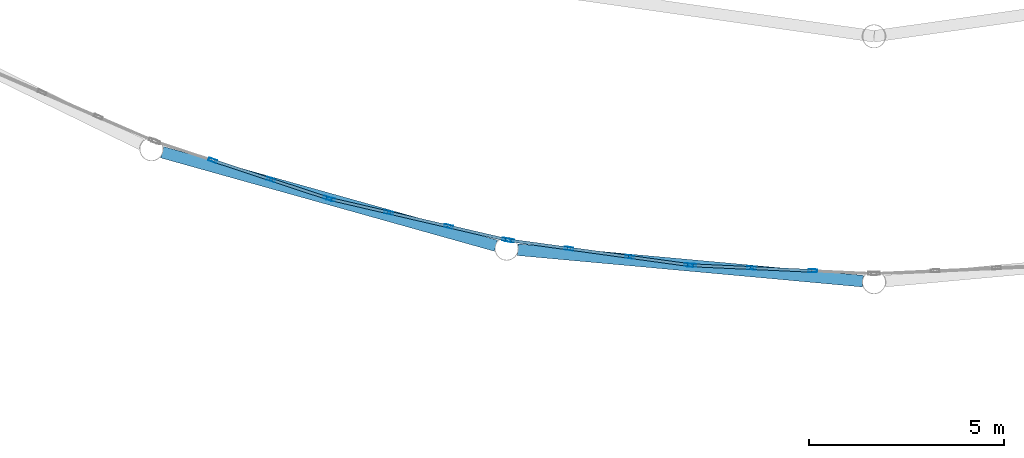
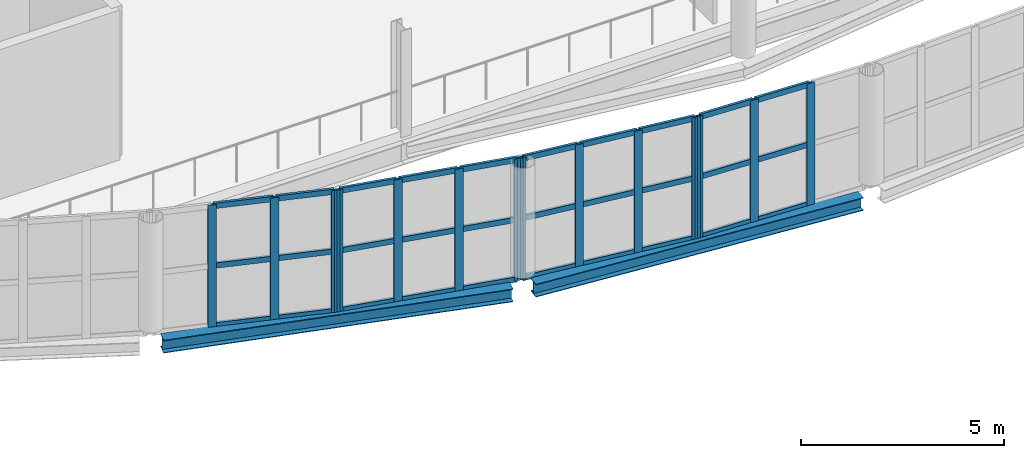
# One storey, part 29 of 134: 44 members, 2 beams, 4 elements without a shape of their own.
"""IFC4 building model written with IfcOpenShell, lengths in metres."""

from ifc_helpers import new_model, si_unit, direction, frame, origin, origin_2d, place, context, subcontext, project, spatial, hollow_rectangle, i_section, extrude, material, layer, layer_set, material_profile, profile_set, type_object, element, aggregate, save


model = new_model("IFC4")

# Units and contexts
model_context = context("Model", 3, precision=1e-05, world=origin(), true_north=direction((0.0, 1.0)))
body_context = subcontext(model_context, "Body", "Model", "MODEL_VIEW")
ifc_project = project(units=[si_unit("LENGTHUNIT", "METRE"), si_unit("AREAUNIT", "SQUARE_METRE"), si_unit("VOLUMEUNIT", "CUBIC_METRE"), si_unit("PLANEANGLEUNIT", "RADIAN"), si_unit("MASSUNIT", "GRAM", prefix="KILO")], contexts=[model_context])

# Site, building, storey
site_placement = place(None, origin())
site = spatial("IfcSite", under=ifc_project, at=site_placement, CompositionType="ELEMENT")
building_placement = place(site_placement, origin())
building = spatial("IfcBuilding", under=site, at=building_placement, Name="Tamarisk Ironworks Central Station", CompositionType="ELEMENT")
storey_placement = place(building_placement, frame((0.0, 0.0, 12.60009765625)))
storey = spatial("IfcBuildingStorey", under=building, at=storey_placement, Name="L02", CompositionType="ELEMENT", Elevation=12.60009765625)

# Beams
ifc_material_1 = material(Name="Structural steel S355J2", Category="steel")
ifc_material_profile_1 = material_profile(ifc_material_1, i_section(OverallWidth=0.300048828125, OverallDepth=0.389892578125, WebThickness=0.010986328125, FlangeThickness=0.01904296875, at=origin_2d()), Name="HEA 400")
ifc_profile_set_1 = profile_set([ifc_material_profile_1], Name="Structural steel S355J2")
beam_type = type_object("IfcBeamType", Name="BM-G07", PredefinedType="BEAM", material=ifc_profile_set_1)
beam_1_placement = place(storey_placement, frame((62.76318359375, 6.570556640625, -0.5751953125), z_axis=(0.962975154525, -0.269590155174, 0.0), x_axis=(0.269590155174, 0.962975154525, 0.0)))
element("IfcBeam", 1, at=beam_1_placement, inside=storey, type_object=beam_type, Name="SN rounded nose L02 chord girder 004", PredefinedType="BEAM", context=body_context, shape_type="SweptSolid", body=[
    extrude(i_section(OverallWidth=0.300048828125, OverallDepth=0.389892578125, WebThickness=0.010986328125, FlangeThickness=0.01904296875, at=origin_2d()), origin(), (0.0, 0.0, 1.0), 8.88037109375),
])
beam_2_placement = place(storey_placement, frame((71.872802734375, 4.07373046875, -0.5751953125), z_axis=(0.995863406654, -0.090862947823, 0.0), x_axis=(0.090862947823, 0.995863406654, 0.0)))
element("IfcBeam", 2, at=beam_2_placement, inside=storey, type_object=beam_type, Name="SN rounded nose L02 chord girder 006", PredefinedType="BEAM", context=body_context, shape_type="SweptSolid", body=[
    extrude(i_section(OverallWidth=0.300048828125, OverallDepth=0.389892578125, WebThickness=0.010986328125, FlangeThickness=0.01904296875, at=origin_2d()), origin(), (0.0, 0.0, 1.0), 8.880126953125),
])

# Curtain wall, members
ifc_material_2 = material(Name="Anodized aluminium alloy 6063-T6", Category="aluminium")
ifc_layer = layer(ifc_material_2, 0.179931640625)
ifc_layer_set = layer_set([ifc_layer], Name="Anodized aluminium alloy 6063-T6")
curtain_wall_type = type_object("IfcCurtainWallType", Name="CW-03", PredefinedType="USERDEFINED", material=ifc_layer_set)
curtain_wall_1_placement = place(storey_placement, origin())
curtain_wall_1 = element("IfcCurtainWall", 3, at=curtain_wall_1_placement, inside=storey, type_object=curtain_wall_type, Name="SN rounded entrance hall L02 curtain wall bay 03", ObjectType="GLAZED CURTAIN WALL", PredefinedType="USERDEFINED")
ifc_material_profile_2 = material_profile(ifc_material_2, hollow_rectangle(XDim=0.074951171875, YDim=0.219970703125, WallThickness=0.00390625, at=origin_2d()), Name="ALUM 220x75")
ifc_profile_set_2 = profile_set([ifc_material_profile_2], Name="Anodized aluminium alloy 6063-T6")
member_type_1 = type_object("IfcMemberType", Name="CWM-01", PredefinedType="MULLION", material=ifc_profile_set_2)
member_1_placement = place(storey_placement, frame((64.05908203125, 6.361083984375, -0.385009765625), z_axis=(0.0, 0.0, 1.0), x_axis=(0.313098460171, 0.949720671692, 0.0)))
member_1 = element("IfcMember", 4, at=member_1_placement, type_object=member_type_1, Name="CW03 mullion 2", PredefinedType="MULLION", context=body_context, shape_type="SweptSolid", body=[
    extrude(hollow_rectangle(XDim=0.074951171875, YDim=0.219970703125, WallThickness=0.00390625, at=origin_2d()), origin(), (0.0, 0.0, 1.0), 3.664794921875),
])
member_2_placement = place(storey_placement, frame((65.550048828125, 5.86962890625, -0.385009765625), z_axis=(0.0, 0.0, 1.0), x_axis=(0.313098460171, 0.949720671692, 0.0)))
member_2 = element("IfcMember", 5, at=member_2_placement, type_object=member_type_1, Name="CW03 mullion 3", PredefinedType="MULLION", context=body_context, shape_type="SweptSolid", body=[
    extrude(hollow_rectangle(XDim=0.074951171875, YDim=0.219970703125, WallThickness=0.00390625, at=origin_2d()), origin(), (0.0, 0.0, 1.0), 3.664794921875),
])
member_3_placement = place(storey_placement, frame((67.00537109375, 5.3896484375, -0.385009765625), z_axis=(0.0, 0.0, 1.0), x_axis=(0.313098460171, 0.949720671692, 0.0)))
member_3 = element("IfcMember", 6, at=member_3_placement, type_object=member_type_1, Name="CW03 mullion 4", PredefinedType="MULLION", context=body_context, shape_type="SweptSolid", body=[
    extrude(hollow_rectangle(XDim=0.074951171875, YDim=0.219970703125, WallThickness=0.00390625, at=origin_2d()), origin(), (0.0, 0.0, 1.0), 3.664794921875),
])

curtain_wall_2_placement = place(storey_placement, origin())
curtain_wall_2 = element("IfcCurtainWall", 7, at=curtain_wall_2_placement, inside=storey, type_object=curtain_wall_type, Name="SN rounded entrance hall L02 curtain wall bay 04", ObjectType="GLAZED CURTAIN WALL", PredefinedType="USERDEFINED")
member_4_placement = place(storey_placement, frame((67.07763671875, 5.36962890625, -0.385009765625), z_axis=(0.0, 0.0, 1.0), x_axis=(0.225516966506, 0.974239240545, 0.0)))
member_4 = element("IfcMember", 8, at=member_4_placement, type_object=member_type_1, Name="CW03 mullion 1", PredefinedType="MULLION", context=body_context, shape_type="SweptSolid", body=[
    extrude(hollow_rectangle(XDim=0.074951171875, YDim=0.219970703125, WallThickness=0.00390625, at=origin_2d()), origin(), (0.0, 0.0, 1.0), 3.664794921875),
])
member_5_placement = place(storey_placement, frame((68.570556640625, 5.02392578125, -0.385009765625), z_axis=(0.0, 0.0, 1.0), x_axis=(0.225516966506, 0.974239240545, 0.0)))
member_5 = element("IfcMember", 9, at=member_5_placement, type_object=member_type_1, Name="CW03 mullion 2", PredefinedType="MULLION", context=body_context, shape_type="SweptSolid", body=[
    extrude(hollow_rectangle(XDim=0.074951171875, YDim=0.219970703125, WallThickness=0.00390625, at=origin_2d()), origin(), (0.0, 0.0, 1.0), 3.664794921875),
])
member_6_placement = place(storey_placement, frame((70.099853515625, 4.669921875, -0.385009765625), z_axis=(0.0, 0.0, 1.0), x_axis=(0.225516966506, 0.974239240545, 0.0)))
member_6 = element("IfcMember", 10, at=member_6_placement, type_object=member_type_1, Name="CW03 mullion 3", PredefinedType="MULLION", context=body_context, shape_type="SweptSolid", body=[
    extrude(hollow_rectangle(XDim=0.074951171875, YDim=0.219970703125, WallThickness=0.00390625, at=origin_2d()), origin(), (0.0, 0.0, 1.0), 3.664794921875),
])
member_7_placement = place(storey_placement, frame((71.5927734375, 4.324462890625, -0.385009765625), z_axis=(0.0, 0.0, 1.0), x_axis=(0.225516966506, 0.974239240545, 0.0)))
member_7 = element("IfcMember", 11, at=member_7_placement, type_object=member_type_1, Name="CW03 mullion 4", PredefinedType="MULLION", context=body_context, shape_type="SweptSolid", body=[
    extrude(hollow_rectangle(XDim=0.074951171875, YDim=0.219970703125, WallThickness=0.00390625, at=origin_2d()), origin(), (0.0, 0.0, 1.0), 3.664794921875),
])

curtain_wall_3_placement = place(storey_placement, origin())
curtain_wall_3 = element("IfcCurtainWall", 12, at=curtain_wall_3_placement, inside=storey, type_object=curtain_wall_type, Name="SN rounded entrance hall L02 curtain wall bay 05", ObjectType="GLAZED CURTAIN WALL", PredefinedType="USERDEFINED")
member_8_placement = place(storey_placement, frame((71.66650390625, 4.310791015625, -0.385009765625), z_axis=(0.0, 0.0, 1.0), x_axis=(0.136041725218, 0.990703108403, 0.0)))
member_8 = element("IfcMember", 13, at=member_8_placement, type_object=member_type_1, Name="CW03 mullion 1", PredefinedType="MULLION", context=body_context, shape_type="SweptSolid", body=[
    extrude(hollow_rectangle(XDim=0.074951171875, YDim=0.219970703125, WallThickness=0.00390625, at=origin_2d()), origin(), (0.0, 0.0, 1.0), 3.664794921875),
])
member_9_placement = place(storey_placement, frame((73.1845703125, 4.102294921875, -0.385009765625), z_axis=(0.0, 0.0, 1.0), x_axis=(0.136041725218, 0.990703108403, 0.0)))
member_9 = element("IfcMember", 14, at=member_9_placement, type_object=member_type_1, Name="CW03 mullion 2", PredefinedType="MULLION", context=body_context, shape_type="SweptSolid", body=[
    extrude(hollow_rectangle(XDim=0.074951171875, YDim=0.219970703125, WallThickness=0.00390625, at=origin_2d()), origin(), (0.0, 0.0, 1.0), 3.664794921875),
])
member_10_placement = place(storey_placement, frame((74.739990234375, 3.888671875, -0.385009765625), z_axis=(0.0, 0.0, 1.0), x_axis=(0.136041725218, 0.990703108403, 0.0)))
member_10 = element("IfcMember", 15, at=member_10_placement, type_object=member_type_1, Name="CW03 mullion 3", PredefinedType="MULLION", context=body_context, shape_type="SweptSolid", body=[
    extrude(hollow_rectangle(XDim=0.074951171875, YDim=0.219970703125, WallThickness=0.00390625, at=origin_2d()), origin(), (0.0, 0.0, 1.0), 3.664794921875),
])
member_11_placement = place(storey_placement, frame((76.258056640625, 3.680419921875, -0.385009765625), z_axis=(0.0, 0.0, 1.0), x_axis=(0.136041725218, 0.990703108403, 0.0)))
member_11 = element("IfcMember", 16, at=member_11_placement, type_object=member_type_1, Name="CW03 mullion 4", PredefinedType="MULLION", context=body_context, shape_type="SweptSolid", body=[
    extrude(hollow_rectangle(XDim=0.074951171875, YDim=0.219970703125, WallThickness=0.00390625, at=origin_2d()), origin(), (0.0, 0.0, 1.0), 3.664794921875),
])

curtain_wall_4_placement = place(storey_placement, origin())
curtain_wall_4 = element("IfcCurtainWall", 17, at=curtain_wall_4_placement, inside=storey, type_object=curtain_wall_type, Name="SN rounded entrance hall L02 curtain wall bay 06", ObjectType="GLAZED CURTAIN WALL", PredefinedType="USERDEFINED")
member_12_placement = place(storey_placement, frame((76.332763671875, 3.673583984375, -0.385009765625), z_axis=(0.0, 0.0, 1.0), x_axis=(0.045480859558, 0.998965210312, 0.0)))
member_12 = element("IfcMember", 18, at=member_12_placement, type_object=member_type_1, Name="CW03 mullion 1", PredefinedType="MULLION", context=body_context, shape_type="SweptSolid", body=[
    extrude(hollow_rectangle(XDim=0.074951171875, YDim=0.219970703125, WallThickness=0.00390625, at=origin_2d()), origin(), (0.0, 0.0, 1.0), 3.664794921875),
])
member_13_placement = place(storey_placement, frame((77.863525390625, 3.603759765625, -0.385009765625), z_axis=(0.0, 0.0, 1.0), x_axis=(0.045480859558, 0.998965210312, 0.0)))
member_13 = element("IfcMember", 19, at=member_13_placement, type_object=member_type_1, Name="CW03 mullion 2", PredefinedType="MULLION", context=body_context, shape_type="SweptSolid", body=[
    extrude(hollow_rectangle(XDim=0.074951171875, YDim=0.219970703125, WallThickness=0.00390625, at=origin_2d()), origin(), (0.0, 0.0, 1.0), 3.664794921875),
])
member_14_placement = place(storey_placement, frame((79.431640625, 3.532470703125, -0.385009765625), z_axis=(0.0, 0.0, 1.0), x_axis=(0.045480859558, 0.998965210312, 0.0)))
member_14 = element("IfcMember", 20, at=member_14_placement, type_object=member_type_1, Name="CW03 mullion 3", PredefinedType="MULLION", context=body_context, shape_type="SweptSolid", body=[
    extrude(hollow_rectangle(XDim=0.074951171875, YDim=0.219970703125, WallThickness=0.00390625, at=origin_2d()), origin(), (0.0, 0.0, 1.0), 3.664794921875),
])

# Member
ifc_material_profile_3 = material_profile(ifc_material_2, hollow_rectangle(XDim=0.074951171875, YDim=0.159912109375, WallThickness=0.00390625, at=origin_2d()), Name="ALUM 160x75")
ifc_profile_set_3 = profile_set([ifc_material_profile_3], Name="Anodized aluminium alloy 6063-T6")
member_type_2 = type_object("IfcMemberType", Name="CWT-01", PredefinedType="USERDEFINED", material=ifc_profile_set_3)
member_15_placement = place(storey_placement, frame((64.091064453125, 6.3505859375, -0.34765625), z_axis=(0.94973399069, -0.313058056801, 0.0), x_axis=(0.313058056801, 0.94973399069, 0.0)))
member_15 = element("IfcMember", 21, at=member_15_placement, type_object=member_type_2, Name="CW03 transom 2.1", ObjectType="TRANSOM", PredefinedType="USERDEFINED", context=body_context, shape_type="SweptSolid", body=[
    extrude(hollow_rectangle(XDim=0.074951171875, YDim=0.159912109375, WallThickness=0.00390625, at=origin_2d()), origin(), (0.0, 0.0, 1.0), 1.502685546875),
])

member_16_placement = place(storey_placement, frame((64.091064453125, 6.3505859375, 1.447509765625), z_axis=(0.94973399069, -0.313058056801, 0.0), x_axis=(0.313058056801, 0.94973399069, 0.0)))
member_16 = element("IfcMember", 22, at=member_16_placement, type_object=member_type_2, Name="CW03 transom 2.2", ObjectType="TRANSOM", PredefinedType="USERDEFINED", context=body_context, shape_type="SweptSolid", body=[
    extrude(hollow_rectangle(XDim=0.074951171875, YDim=0.159912109375, WallThickness=0.00390625, at=origin_2d()), origin(), (0.0, 0.0, 1.0), 1.502685546875),
])

member_17_placement = place(storey_placement, frame((64.091064453125, 6.3505859375, 3.242431640625), z_axis=(0.94973399069, -0.313058056801, 0.0), x_axis=(0.313058056801, 0.94973399069, 0.0)))
member_17 = element("IfcMember", 23, at=member_17_placement, type_object=member_type_2, Name="CW03 transom 2.3", ObjectType="TRANSOM", PredefinedType="USERDEFINED", context=body_context, shape_type="SweptSolid", body=[
    extrude(hollow_rectangle(XDim=0.074951171875, YDim=0.159912109375, WallThickness=0.00390625, at=origin_2d()), origin(), (0.0, 0.0, 1.0), 1.502685546875),
])

member_18_placement = place(storey_placement, frame((65.58203125, 5.859130859375, -0.34765625), z_axis=(0.949678219118, -0.313227202095, 0.0), x_axis=(0.313227202095, 0.949678219118, 0.0)))
member_18 = element("IfcMember", 24, at=member_18_placement, type_object=member_type_2, Name="CW03 transom 3.1", ObjectType="TRANSOM", PredefinedType="USERDEFINED", context=body_context, shape_type="SweptSolid", body=[
    extrude(hollow_rectangle(XDim=0.074951171875, YDim=0.159912109375, WallThickness=0.00390625, at=origin_2d()), origin(), (0.0, 0.0, 1.0), 1.46533203125),
])

member_19_placement = place(storey_placement, frame((65.58203125, 5.859130859375, 1.447509765625), z_axis=(0.949678219118, -0.313227202095, 0.0), x_axis=(0.313227202095, 0.949678219118, 0.0)))
member_19 = element("IfcMember", 25, at=member_19_placement, type_object=member_type_2, Name="CW03 transom 3.2", ObjectType="TRANSOM", PredefinedType="USERDEFINED", context=body_context, shape_type="SweptSolid", body=[
    extrude(hollow_rectangle(XDim=0.074951171875, YDim=0.159912109375, WallThickness=0.00390625, at=origin_2d()), origin(), (0.0, 0.0, 1.0), 1.46533203125),
])

member_20_placement = place(storey_placement, frame((65.58203125, 5.859130859375, 3.242431640625), z_axis=(0.949678219118, -0.313227202095, 0.0), x_axis=(0.313227202095, 0.949678219118, 0.0)))
member_20 = element("IfcMember", 26, at=member_20_placement, type_object=member_type_2, Name="CW03 transom 3.3", ObjectType="TRANSOM", PredefinedType="USERDEFINED", context=body_context, shape_type="SweptSolid", body=[
    extrude(hollow_rectangle(XDim=0.074951171875, YDim=0.159912109375, WallThickness=0.00390625, at=origin_2d()), origin(), (0.0, 0.0, 1.0), 1.46533203125),
])

aggregate(curtain_wall_1, [member_1, member_2, member_3, member_15, member_16, member_17, member_18, member_19, member_20])

member_21_placement = place(storey_placement, frame((67.1103515625, 5.362060546875, -0.34765625), z_axis=(0.974219613939, -0.225601737177, 0.0), x_axis=(0.225601737177, 0.974219613939, 0.0)))
member_21 = element("IfcMember", 27, at=member_21_placement, type_object=member_type_2, Name="CW03 transom 1.1", ObjectType="TRANSOM", PredefinedType="USERDEFINED", context=body_context, shape_type="SweptSolid", body=[
    extrude(hollow_rectangle(XDim=0.074951171875, YDim=0.159912109375, WallThickness=0.00390625, at=origin_2d()), origin(), (0.0, 0.0, 1.0), 1.46533203125),
])

member_22_placement = place(storey_placement, frame((67.1103515625, 5.362060546875, 1.447509765625), z_axis=(0.974219613939, -0.225601737177, 0.0), x_axis=(0.225601737177, 0.974219613939, 0.0)))
member_22 = element("IfcMember", 28, at=member_22_placement, type_object=member_type_2, Name="CW03 transom 1.2", ObjectType="TRANSOM", PredefinedType="USERDEFINED", context=body_context, shape_type="SweptSolid", body=[
    extrude(hollow_rectangle(XDim=0.074951171875, YDim=0.159912109375, WallThickness=0.00390625, at=origin_2d()), origin(), (0.0, 0.0, 1.0), 1.46533203125),
])

member_23_placement = place(storey_placement, frame((67.1103515625, 5.362060546875, 3.242431640625), z_axis=(0.974219613939, -0.225601737177, 0.0), x_axis=(0.225601737177, 0.974219613939, 0.0)))
member_23 = element("IfcMember", 29, at=member_23_placement, type_object=member_type_2, Name="CW03 transom 1.3", ObjectType="TRANSOM", PredefinedType="USERDEFINED", context=body_context, shape_type="SweptSolid", body=[
    extrude(hollow_rectangle(XDim=0.074951171875, YDim=0.159912109375, WallThickness=0.00390625, at=origin_2d()), origin(), (0.0, 0.0, 1.0), 1.46533203125),
])

member_24_placement = place(storey_placement, frame((68.603271484375, 5.016357421875, -0.34765625), z_axis=(0.974245878003, -0.22548829059, 0.0), x_axis=(0.22548829059, 0.974245878003, 0.0)))
member_24 = element("IfcMember", 30, at=member_24_placement, type_object=member_type_2, Name="CW03 transom 2.1", ObjectType="TRANSOM", PredefinedType="USERDEFINED", context=body_context, shape_type="SweptSolid", body=[
    extrude(hollow_rectangle(XDim=0.074951171875, YDim=0.159912109375, WallThickness=0.00390625, at=origin_2d()), origin(), (0.0, 0.0, 1.0), 1.5029296875),
])

member_25_placement = place(storey_placement, frame((68.603271484375, 5.016357421875, 1.447509765625), z_axis=(0.974245878003, -0.22548829059, 0.0), x_axis=(0.22548829059, 0.974245878003, 0.0)))
member_25 = element("IfcMember", 31, at=member_25_placement, type_object=member_type_2, Name="CW03 transom 2.2", ObjectType="TRANSOM", PredefinedType="USERDEFINED", context=body_context, shape_type="SweptSolid", body=[
    extrude(hollow_rectangle(XDim=0.074951171875, YDim=0.159912109375, WallThickness=0.00390625, at=origin_2d()), origin(), (0.0, 0.0, 1.0), 1.5029296875),
])

member_26_placement = place(storey_placement, frame((68.603271484375, 5.016357421875, 3.242431640625), z_axis=(0.974245878003, -0.22548829059, 0.0), x_axis=(0.22548829059, 0.974245878003, 0.0)))
member_26 = element("IfcMember", 32, at=member_26_placement, type_object=member_type_2, Name="CW03 transom 2.3", ObjectType="TRANSOM", PredefinedType="USERDEFINED", context=body_context, shape_type="SweptSolid", body=[
    extrude(hollow_rectangle(XDim=0.074951171875, YDim=0.159912109375, WallThickness=0.00390625, at=origin_2d()), origin(), (0.0, 0.0, 1.0), 1.5029296875),
])

member_27_placement = place(storey_placement, frame((70.132568359375, 4.662353515625, -0.34765625), z_axis=(0.9742646895, -0.225406998101, 0.0), x_axis=(0.225406998101, 0.9742646895, 0.0)))
member_27 = element("IfcMember", 33, at=member_27_placement, type_object=member_type_2, Name="CW03 transom 3.1", ObjectType="TRANSOM", PredefinedType="USERDEFINED", context=body_context, shape_type="SweptSolid", body=[
    extrude(hollow_rectangle(XDim=0.074951171875, YDim=0.159912109375, WallThickness=0.00390625, at=origin_2d()), origin(), (0.0, 0.0, 1.0), 1.46533203125),
])

member_28_placement = place(storey_placement, frame((70.132568359375, 4.662353515625, 1.447509765625), z_axis=(0.9742646895, -0.225406998101, 0.0), x_axis=(0.225406998101, 0.9742646895, 0.0)))
member_28 = element("IfcMember", 34, at=member_28_placement, type_object=member_type_2, Name="CW03 transom 3.2", ObjectType="TRANSOM", PredefinedType="USERDEFINED", context=body_context, shape_type="SweptSolid", body=[
    extrude(hollow_rectangle(XDim=0.074951171875, YDim=0.159912109375, WallThickness=0.00390625, at=origin_2d()), origin(), (0.0, 0.0, 1.0), 1.46533203125),
])

member_29_placement = place(storey_placement, frame((70.132568359375, 4.662353515625, 3.242431640625), z_axis=(0.9742646895, -0.225406998101, 0.0), x_axis=(0.225406998101, 0.9742646895, 0.0)))
member_29 = element("IfcMember", 35, at=member_29_placement, type_object=member_type_2, Name="CW03 transom 3.3", ObjectType="TRANSOM", PredefinedType="USERDEFINED", context=body_context, shape_type="SweptSolid", body=[
    extrude(hollow_rectangle(XDim=0.074951171875, YDim=0.159912109375, WallThickness=0.00390625, at=origin_2d()), origin(), (0.0, 0.0, 1.0), 1.46533203125),
])

aggregate(curtain_wall_2, [member_4, member_5, member_6, member_7, member_21, member_22, member_23, member_24, member_25, member_26, member_27, member_28, member_29])

member_30_placement = place(storey_placement, frame((71.69970703125, 4.30615234375, -0.34765625), z_axis=(0.990714220165, -0.135960780971, 0.0), x_axis=(0.135960780971, 0.990714220165, 0.0)))
member_30 = element("IfcMember", 36, at=member_30_placement, type_object=member_type_2, Name="CW03 transom 1.1", ObjectType="TRANSOM", PredefinedType="USERDEFINED", context=body_context, shape_type="SweptSolid", body=[
    extrude(hollow_rectangle(XDim=0.074951171875, YDim=0.159912109375, WallThickness=0.00390625, at=origin_2d()), origin(), (0.0, 0.0, 1.0), 1.46533203125),
])

member_31_placement = place(storey_placement, frame((71.69970703125, 4.30615234375, 1.447509765625), z_axis=(0.990714220165, -0.135960780971, 0.0), x_axis=(0.135960780971, 0.990714220165, 0.0)))
member_31 = element("IfcMember", 37, at=member_31_placement, type_object=member_type_2, Name="CW03 transom 1.2", ObjectType="TRANSOM", PredefinedType="USERDEFINED", context=body_context, shape_type="SweptSolid", body=[
    extrude(hollow_rectangle(XDim=0.074951171875, YDim=0.159912109375, WallThickness=0.00390625, at=origin_2d()), origin(), (0.0, 0.0, 1.0), 1.46533203125),
])

member_32_placement = place(storey_placement, frame((71.69970703125, 4.30615234375, 3.242431640625), z_axis=(0.990714220165, -0.135960780971, 0.0), x_axis=(0.135960780971, 0.990714220165, 0.0)))
member_32 = element("IfcMember", 38, at=member_32_placement, type_object=member_type_2, Name="CW03 transom 1.3", ObjectType="TRANSOM", PredefinedType="USERDEFINED", context=body_context, shape_type="SweptSolid", body=[
    extrude(hollow_rectangle(XDim=0.074951171875, YDim=0.159912109375, WallThickness=0.00390625, at=origin_2d()), origin(), (0.0, 0.0, 1.0), 1.46533203125),
])

member_33_placement = place(storey_placement, frame((73.2177734375, 4.09765625, -0.34765625), z_axis=(0.990714153928, -0.135961263623, 0.0), x_axis=(0.135961263623, 0.990714153928, 0.0)))
member_33 = element("IfcMember", 39, at=member_33_placement, type_object=member_type_2, Name="CW03 transom 2.1", ObjectType="TRANSOM", PredefinedType="USERDEFINED", context=body_context, shape_type="SweptSolid", body=[
    extrude(hollow_rectangle(XDim=0.074951171875, YDim=0.159912109375, WallThickness=0.00390625, at=origin_2d()), origin(), (0.0, 0.0, 1.0), 1.5029296875),
])

member_34_placement = place(storey_placement, frame((73.2177734375, 4.09765625, 1.447509765625), z_axis=(0.990714153928, -0.135961263623, 0.0), x_axis=(0.135961263623, 0.990714153928, 0.0)))
member_34 = element("IfcMember", 40, at=member_34_placement, type_object=member_type_2, Name="CW03 transom 2.2", ObjectType="TRANSOM", PredefinedType="USERDEFINED", context=body_context, shape_type="SweptSolid", body=[
    extrude(hollow_rectangle(XDim=0.074951171875, YDim=0.159912109375, WallThickness=0.00390625, at=origin_2d()), origin(), (0.0, 0.0, 1.0), 1.5029296875),
])

member_35_placement = place(storey_placement, frame((73.2177734375, 4.09765625, 3.242431640625), z_axis=(0.990714153928, -0.135961263623, 0.0), x_axis=(0.135961263623, 0.990714153928, 0.0)))
member_35 = element("IfcMember", 41, at=member_35_placement, type_object=member_type_2, Name="CW03 transom 2.3", ObjectType="TRANSOM", PredefinedType="USERDEFINED", context=body_context, shape_type="SweptSolid", body=[
    extrude(hollow_rectangle(XDim=0.074951171875, YDim=0.159912109375, WallThickness=0.00390625, at=origin_2d()), origin(), (0.0, 0.0, 1.0), 1.5029296875),
])

member_36_placement = place(storey_placement, frame((74.773193359375, 3.88427734375, -0.34765625), z_axis=(0.990691763938, -0.136124314016, 0.0), x_axis=(0.136124314016, 0.990691763938, 0.0)))
member_36 = element("IfcMember", 42, at=member_36_placement, type_object=member_type_2, Name="CW03 transom 3.1", ObjectType="TRANSOM", PredefinedType="USERDEFINED", context=body_context, shape_type="SweptSolid", body=[
    extrude(hollow_rectangle(XDim=0.074951171875, YDim=0.159912109375, WallThickness=0.00390625, at=origin_2d()), origin(), (0.0, 0.0, 1.0), 1.46533203125),
])

member_37_placement = place(storey_placement, frame((74.773193359375, 3.88427734375, 1.447509765625), z_axis=(0.990691763938, -0.136124314016, 0.0), x_axis=(0.136124314016, 0.990691763938, 0.0)))
member_37 = element("IfcMember", 43, at=member_37_placement, type_object=member_type_2, Name="CW03 transom 3.2", ObjectType="TRANSOM", PredefinedType="USERDEFINED", context=body_context, shape_type="SweptSolid", body=[
    extrude(hollow_rectangle(XDim=0.074951171875, YDim=0.159912109375, WallThickness=0.00390625, at=origin_2d()), origin(), (0.0, 0.0, 1.0), 1.46533203125),
])

member_38_placement = place(storey_placement, frame((74.773193359375, 3.88427734375, 3.242431640625), z_axis=(0.990691763938, -0.136124314016, 0.0), x_axis=(0.136124314016, 0.990691763938, 0.0)))
member_38 = element("IfcMember", 44, at=member_38_placement, type_object=member_type_2, Name="CW03 transom 3.3", ObjectType="TRANSOM", PredefinedType="USERDEFINED", context=body_context, shape_type="SweptSolid", body=[
    extrude(hollow_rectangle(XDim=0.074951171875, YDim=0.159912109375, WallThickness=0.00390625, at=origin_2d()), origin(), (0.0, 0.0, 1.0), 1.46533203125),
])

aggregate(curtain_wall_3, [member_8, member_9, member_10, member_11, member_30, member_31, member_32, member_33, member_34, member_35, member_36, member_37, member_38])

member_39_placement = place(storey_placement, frame((76.3662109375, 3.671875, -0.34765625), z_axis=(0.998965102192, -0.045483234306, 0.0), x_axis=(0.045483234306, 0.998965102192, 0.0)))
member_39 = element("IfcMember", 45, at=member_39_placement, type_object=member_type_2, Name="CW03 transom 1.1", ObjectType="TRANSOM", PredefinedType="USERDEFINED", context=body_context, shape_type="SweptSolid", body=[
    extrude(hollow_rectangle(XDim=0.074951171875, YDim=0.159912109375, WallThickness=0.00390625, at=origin_2d()), origin(), (0.0, 0.0, 1.0), 1.46533203125),
])

member_40_placement = place(storey_placement, frame((76.3662109375, 3.671875, 1.447509765625), z_axis=(0.998965102192, -0.045483234306, 0.0), x_axis=(0.045483234306, 0.998965102192, 0.0)))
member_40 = element("IfcMember", 46, at=member_40_placement, type_object=member_type_2, Name="CW03 transom 1.2", ObjectType="TRANSOM", PredefinedType="USERDEFINED", context=body_context, shape_type="SweptSolid", body=[
    extrude(hollow_rectangle(XDim=0.074951171875, YDim=0.159912109375, WallThickness=0.00390625, at=origin_2d()), origin(), (0.0, 0.0, 1.0), 1.46533203125),
])

member_41_placement = place(storey_placement, frame((76.3662109375, 3.671875, 3.242431640625), z_axis=(0.998965102192, -0.045483234306, 0.0), x_axis=(0.045483234306, 0.998965102192, 0.0)))
member_41 = element("IfcMember", 47, at=member_41_placement, type_object=member_type_2, Name="CW03 transom 1.3", ObjectType="TRANSOM", PredefinedType="USERDEFINED", context=body_context, shape_type="SweptSolid", body=[
    extrude(hollow_rectangle(XDim=0.074951171875, YDim=0.159912109375, WallThickness=0.00390625, at=origin_2d()), origin(), (0.0, 0.0, 1.0), 1.46533203125),
])

member_42_placement = place(storey_placement, frame((77.89697265625, 3.602294921875, -0.34765625), z_axis=(0.998964852268, -0.045488723148, 0.0), x_axis=(0.045488723148, 0.998964852268, 0.0)))
member_42 = element("IfcMember", 48, at=member_42_placement, type_object=member_type_2, Name="CW03 transom 2.1", ObjectType="TRANSOM", PredefinedType="USERDEFINED", context=body_context, shape_type="SweptSolid", body=[
    extrude(hollow_rectangle(XDim=0.074951171875, YDim=0.159912109375, WallThickness=0.00390625, at=origin_2d()), origin(), (0.0, 0.0, 1.0), 1.502685546875),
])

member_43_placement = place(storey_placement, frame((77.89697265625, 3.602294921875, 1.447509765625), z_axis=(0.998964852268, -0.045488723148, 0.0), x_axis=(0.045488723148, 0.998964852268, 0.0)))
member_43 = element("IfcMember", 49, at=member_43_placement, type_object=member_type_2, Name="CW03 transom 2.2", ObjectType="TRANSOM", PredefinedType="USERDEFINED", context=body_context, shape_type="SweptSolid", body=[
    extrude(hollow_rectangle(XDim=0.074951171875, YDim=0.159912109375, WallThickness=0.00390625, at=origin_2d()), origin(), (0.0, 0.0, 1.0), 1.502685546875),
])

member_44_placement = place(storey_placement, frame((77.89697265625, 3.602294921875, 3.242431640625), z_axis=(0.998964852268, -0.045488723148, 0.0), x_axis=(0.045488723148, 0.998964852268, 0.0)))
member_44 = element("IfcMember", 50, at=member_44_placement, type_object=member_type_2, Name="CW03 transom 2.3", ObjectType="TRANSOM", PredefinedType="USERDEFINED", context=body_context, shape_type="SweptSolid", body=[
    extrude(hollow_rectangle(XDim=0.074951171875, YDim=0.159912109375, WallThickness=0.00390625, at=origin_2d()), origin(), (0.0, 0.0, 1.0), 1.502685546875),
])

aggregate(curtain_wall_4, [member_12, member_13, member_14, member_39, member_40, member_41, member_42, member_43, member_44])

save(model, "model.ifc")
